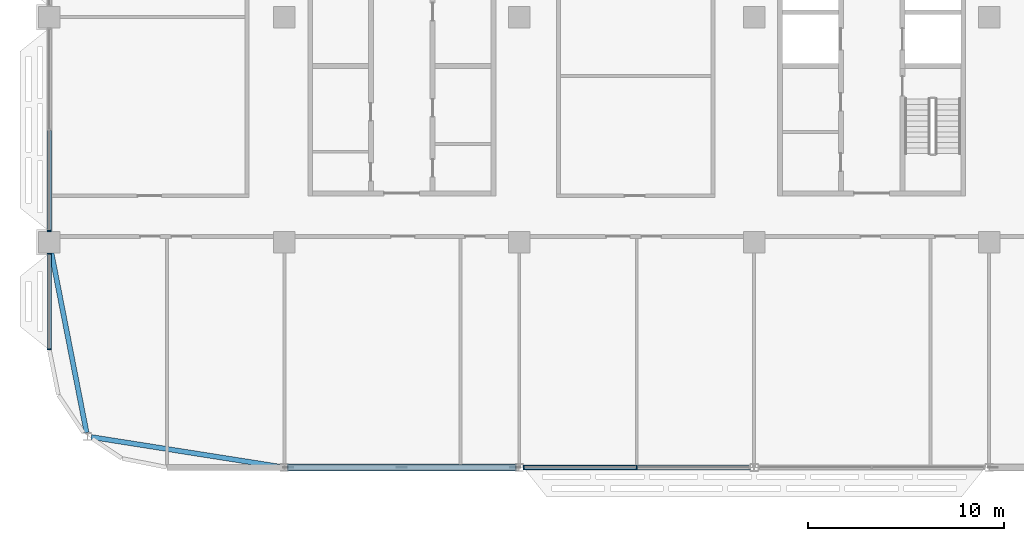
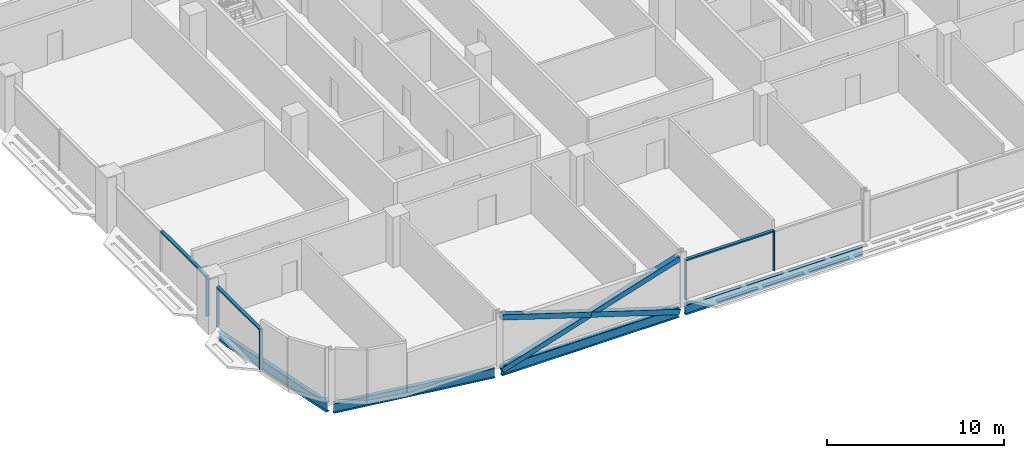
# One storey, part 4 of 30: 11 members, 4 beams, 3 elements without a shape of their own.
"""IFC4 building model written with IfcOpenShell, lengths in metres."""

import ifcopenshell
import ifcopenshell.guid

model = None  # the IFC model being written
_history = None  # IfcOwnerHistory: only IFC2X3 demands one
_inside = {}  # id of a spatial element -> (the spatial element, [elements in it])
_under = {}  # id of a project, library or spatial element -> (it, [spatial elements below it])
_declared = {}  # id of a project -> (the project, [libraries it declares])
_typed = {}  # id of a type object -> (the type object, [elements of that type])
_made_of = {}  # id of a material, layer set ... -> (it, [elements and type objects made of it])


def new_model(schema):
    """Start an empty IFC model of exactly this schema.

    Asked for "IFC4X3", IfcOpenShell would pick the latest addendum, in which some entities
    have other attributes; the version numbers below select the first issue.
    IFC2X3 requires an IfcOwnerHistory on every rooted entity: one is made here for all.
    """
    global model, _history
    if schema == "IFC4X3":
        model = ifcopenshell.file(schema_version=(4, 3, 0, 0))
    else:
        model = ifcopenshell.file(schema=schema)
    _inside.clear()
    _under.clear()
    _declared.clear()
    _typed.clear()
    _made_of.clear()
    _history = None
    if model.schema == "IFC2X3":
        org = make("IfcOrganization", Name="unknown")
        user = make(
            "IfcPersonAndOrganization",
            ThePerson=make("IfcPerson", FamilyName="unknown"),
            TheOrganization=org,
        )
        app = make(
            "IfcApplication",
            ApplicationDeveloper=org,
            Version="unknown",
            ApplicationFullName="unknown",
            ApplicationIdentifier="unknown",
        )
        _history = make(
            "IfcOwnerHistory",
            OwningUser=user,
            OwningApplication=app,
            ChangeAction="ADDED",
            CreationDate=0,
        )
    return model


def make(cls, **values):
    """One entity of the class cls with the attributes given. An attribute that is None is left unset."""
    return model.create_entity(
        cls, **{name: value for name, value in values.items() if value is not None}
    )


def rooted(cls, **values):
    """An entity with a GlobalId (a new one), such as an element, a storey or a relation."""
    return make(cls, GlobalId=ifcopenshell.guid.new(), OwnerHistory=_history, **values)


def si_unit(unit_type, name, prefix=None):
    """IfcSIUnit, for example si_unit("LENGTHUNIT", "METRE", prefix="MILLI")."""
    return make("IfcSIUnit", UnitType=unit_type, Prefix=prefix, Name=name)


def assignment(units):
    """IfcUnitAssignment: the units of a project."""
    return None if units is None else make("IfcUnitAssignment", Units=units)


def point(xyz):
    """IfcCartesianPoint."""
    return None if xyz is None else make("IfcCartesianPoint", Coordinates=xyz)


def direction(xyz):
    """IfcDirection."""
    return None if xyz is None else make("IfcDirection", DirectionRatios=xyz)


def frame(location, z_axis=None, x_axis=None):
    """IfcAxis2Placement3D, a coordinate frame: its origin and axes. An axis left out is left unset."""
    return make(
        "IfcAxis2Placement3D",
        Location=point(location),
        Axis=direction(z_axis),
        RefDirection=direction(x_axis),
    )


def frame_2d(location, x_axis=None):
    """IfcAxis2Placement2D, a coordinate frame in the plane: its origin and x axis."""
    return make(
        "IfcAxis2Placement2D", Location=point(location), RefDirection=direction(x_axis)
    )


def origin():
    """The frame at (0, 0, 0) with its axes left unset."""
    return frame((0.0, 0.0, 0.0))


def origin_2d():
    """The frame at (0, 0) in the plane with its x axis left unset."""
    return frame_2d((0.0, 0.0))


def place(relative_to, where):
    """IfcLocalPlacement: puts the frame where relative to a parent placement (None: the world)."""
    return make(
        "IfcLocalPlacement", PlacementRelTo=relative_to, RelativePlacement=where
    )


def context(
    kind, dimensions, precision=None, world=None, true_north=None, identifier=None
):
    """IfcGeometricRepresentationContext, for example the 3D "Model" context."""
    return make(
        "IfcGeometricRepresentationContext",
        ContextIdentifier=identifier,
        ContextType=kind,
        CoordinateSpaceDimension=dimensions,
        Precision=precision,
        WorldCoordinateSystem=world,
        TrueNorth=true_north,
    )


def subcontext(parent, identifier, kind, view, scale=None):
    """IfcGeometricRepresentationSubContext, for example "Body" below "Model"."""
    return make(
        "IfcGeometricRepresentationSubContext",
        ContextIdentifier=identifier,
        ContextType=kind,
        ParentContext=parent,
        TargetScale=scale,
        TargetView=view,
    )


def project(units=None, contexts=None):
    """IfcProject with its units and contexts."""
    return rooted(
        "IfcProject",
        Name="project",
        RepresentationContexts=contexts,
        UnitsInContext=assignment(units),
    )


def spatial(cls, under=None, at=None, **own):
    """A site, building, storey or space (cls), placed at a placement, below another one or the project."""
    s = rooted(cls, ObjectPlacement=at, **own)
    if under is not None:
        _under.setdefault(under.id(), (under, []))[1].append(s)
    return s


def profile(cls, at=None, kind="AREA", **sizes):
    """A parametric profile (cls). Its sizes go by their IFC names, for example OverallWidth=200.0."""
    return make(cls, ProfileType=kind, Position=at, **sizes)


def rectangle(**sizes):
    """IfcRectangleProfileDef."""
    return profile("IfcRectangleProfileDef", **sizes)


def hollow_rectangle(**sizes):
    """IfcRectangleHollowProfileDef."""
    return profile("IfcRectangleHollowProfileDef", **sizes)


def i_section(**sizes):
    """IfcIShapeProfileDef."""
    return profile("IfcIShapeProfileDef", **sizes)


def extrude(swept, where, along, depth):
    """IfcExtrudedAreaSolid: the profile swept, set in the frame where, extruded along a direction by depth."""
    return make(
        "IfcExtrudedAreaSolid",
        SweptArea=swept,
        Position=where,
        ExtrudedDirection=direction(along),
        Depth=depth,
    )


def shape(context_of_items, identifier, shape_type, items):
    """IfcShapeRepresentation: the items that make up one representation, for example the "Body"."""
    return make(
        "IfcShapeRepresentation",
        ContextOfItems=context_of_items,
        RepresentationIdentifier=identifier,
        RepresentationType=shape_type,
        Items=items,
    )


def material(Name=None, Category=None):
    """IfcMaterial."""
    return make("IfcMaterial", Name=Name, Category=Category)


def material_profile(
    of_material, cross_section, Name=None, Category=None, Priority=None
):
    """IfcMaterialProfile: a cross section and its material."""
    return make(
        "IfcMaterialProfile",
        Name=Name,
        Material=of_material,
        Profile=cross_section,
        Priority=Priority,
        Category=Category,
    )


def profile_set(profiles, Name=None, composite=None):
    """IfcMaterialProfileSet."""
    return make(
        "IfcMaterialProfileSet",
        Name=Name,
        MaterialProfiles=profiles,
        CompositeProfile=composite,
    )


def made_of(thing, what):
    """Note that an element or type object is made of a material, layer set ...; save() writes the relation."""
    if what is not None:
        _made_of.setdefault(what.id(), (what, []))[1].append(thing)
    return thing


def type_object(cls, material=None, **own):
    """A type object (cls), such as IfcWallType, which elements share."""
    return made_of(rooted(cls, **own), material)


def element(
    cls,
    number,
    at=None,
    inside=None,
    cuts=None,
    type_object=None,
    material=None,
    context=None,
    identifier="Body",
    shape_type=None,
    held_by="IfcProductDefinitionShape",
    body=None,
    shapes=None,
    **own,
):
    """One element of the class cls, such as IfcWall. Its Tag is "e" and its number.

    at: its placement. inside: the storey or other place that contains it. cuts: it is an
    opening in that element (IfcRelVoidsElement). A single representation is given by context,
    identifier, shape_type and body (its items); several are given by shapes. held_by: the class
    of the entity that holds the representations. save() writes the other relations.
    """
    e = rooted(cls, Tag="e%d" % number, ObjectPlacement=at, **own)
    if body is not None:
        shapes = [shape(context, identifier, shape_type, body)]
    if shapes is not None:
        e.Representation = make(held_by, Representations=shapes)
    if inside is not None:
        _inside.setdefault(inside.id(), (inside, []))[1].append(e)
    if cuts is not None:
        rooted(
            "IfcRelVoidsElement", RelatingBuildingElement=cuts, RelatedOpeningElement=e
        )
    if type_object is not None:
        _typed.setdefault(type_object.id(), (type_object, []))[1].append(e)
    return made_of(e, material)


def aggregate(whole, parts):
    """IfcRelAggregates: a whole, such as a stair, and the parts it consists of."""
    return rooted("IfcRelAggregates", RelatingObject=whole, RelatedObjects=parts)


def save(model, path):
    """Write the relations noted so far, then the file.

    IfcRelAggregates (storeys below a building ...), IfcRelContainedInSpatialStructure (elements
    in a storey), IfcRelDefinesByType, IfcRelAssociatesMaterial and IfcRelDeclares: one each for
    every whole, place, type object, material and project.
    """
    for whole, parts in _under.values():
        aggregate(whole, parts)
    for where, things in _inside.values():
        rooted(
            "IfcRelContainedInSpatialStructure",
            RelatedElements=things,
            RelatingStructure=where,
        )
    for kind, things in _typed.values():
        rooted("IfcRelDefinesByType", RelatedObjects=things, RelatingType=kind)
    for what, things in _made_of.values():
        rooted("IfcRelAssociatesMaterial", RelatedObjects=things, RelatingMaterial=what)
    for by, libraries in _declared.values():
        rooted("IfcRelDeclares", RelatingContext=by, RelatedDefinitions=libraries)
    model.write(path)


model = new_model("IFC4")

# Units and contexts
model_context = context("Model", 3, precision=1e-05, world=origin(), true_north=direction((0.0, 1.0)))
body_context = subcontext(model_context, "Body", "Model", "MODEL_VIEW")
ifc_project = project(units=[si_unit("LENGTHUNIT", "METRE"), si_unit("AREAUNIT", "SQUARE_METRE"), si_unit("VOLUMEUNIT", "CUBIC_METRE"), si_unit("PLANEANGLEUNIT", "RADIAN"), si_unit("MASSUNIT", "GRAM", prefix="KILO")], contexts=[model_context])

# Site, building, storey
site_placement = place(None, origin())
site = spatial("IfcSite", under=ifc_project, at=site_placement, CompositionType="ELEMENT")
building_placement = place(site_placement, origin())
building = spatial("IfcBuilding", under=site, at=building_placement, Name="Mahtab Terrace Research Tower", CompositionType="ELEMENT")
storey_placement = place(building_placement, frame((0.0, 0.0, 201.5)))
storey = spatial("IfcBuildingStorey", under=building, at=storey_placement, Name="L48", CompositionType="ELEMENT", Elevation=201.5)

# Members
ifc_material_1 = material(Name="Steel ASTM A500 Gr C", Category="steel")
ifc_material_profile_1 = material_profile(ifc_material_1, hollow_rectangle(XDim=0.355712890625, YDim=0.355712890625, WallThickness=0.015869140625, at=origin_2d()), Name="HSS14X14X5/8")
ifc_profile_set_1 = profile_set([ifc_material_profile_1], Name="Steel ASTM A500 Gr C")
member_type_1 = type_object("IfcMemberType", Name="HSS 14x14x5/8 brace XB141458", PredefinedType="BRACE", material=ifc_profile_set_1)
member_1_placement = place(storey_placement, frame((-29.79931640625, -23.0, -0.615478515625), z_axis=(0.953343380425, 0.0, 0.301888057067), x_axis=(0.0, 1.0, 0.0)))
element("IfcMember", 1, at=member_1_placement, inside=storey, type_object=member_type_1, Name="Exoskeleton brace L48 14 a", PredefinedType="BRACE", context=body_context, shape_type="SweptSolid", body=[
    extrude(hollow_rectangle(XDim=0.355712890625, YDim=0.355712890625, WallThickness=0.015869140625, at=origin_2d()), origin(), (0.0, 0.0, 1.0), 12.166259765625),
])
for number, where, z_axis, x_axis, name in (
    (2, (-18.20068359375, -23.0, -0.615478515625), (-0.953343380425, 0.0, 0.301888057067), (0.0, -1.0, 0.0), "Exoskeleton brace L48 14 b1"),
    (3, (-24.0, -23.0, 1.220947265625), (-0.953343380425, 0.0, 0.301888057067), (0.0, -1.0, 0.0), "Exoskeleton brace L48 14 b2"),
):
    element("IfcMember", number, at=place(storey_placement, frame(where, z_axis=z_axis, x_axis=x_axis)), inside=storey, type_object=member_type_1, Name=name, PredefinedType="BRACE", context=body_context, shape_type="SweptSolid", body=[
        extrude(hollow_rectangle(XDim=0.355712890625, YDim=0.355712890625, WallThickness=0.015869140625, at=origin_2d()), origin(), (0.0, 0.0, 1.0), 6.083251953125),
    ])

# Curtain wall, member
ifc_material_2 = material(Name="Laboratory ribbon curtain wall")
curtain_wall_type = type_object("IfcCurtainWallType", Name="Laboratory ribbon curtain wall", PredefinedType="NOTDEFINED", material=ifc_material_2)
curtain_wall_1_placement = place(storey_placement, origin())
curtain_wall_1 = element("IfcCurtainWall", 4, at=curtain_wall_1_placement, inside=storey, type_object=curtain_wall_type, Name="EN.L48.8.17", PredefinedType="NOTDEFINED")
ifc_material_3 = material(Name="Natural anodised aluminium", Category="aluminium")
ifc_material_profile_2 = material_profile(ifc_material_3, rectangle(XDim=0.199951171875, YDim=0.06494140625, at=origin_2d()), Name="MULLION 65x200")
ifc_profile_set_2 = profile_set([ifc_material_profile_2], Name="Natural anodised aluminium")
member_type_2 = type_object("IfcMemberType", Name="Laboratory ribbon curtain wall mullion", PredefinedType="MULLION", material=ifc_profile_set_2)
member_2_placement = place(storey_placement, frame((-42.0, -10.91748046875, 0.0), z_axis=(0.0, 0.0, 1.0), x_axis=(1.0, 0.0, 0.0)))
member_2 = element("IfcMember", 5, at=member_2_placement, type_object=member_type_2, Name="CWL-6 mullion 3", PredefinedType="MULLION", context=body_context, shape_type="SweptSolid", body=[
    extrude(rectangle(XDim=0.199951171875, YDim=0.06494140625, at=origin_2d()), origin(), (0.0, 0.0, 1.0), 2.78173828125),
])

# Curtain wall, members
curtain_wall_2_placement = place(storey_placement, origin())
curtain_wall_2 = element("IfcCurtainWall", 6, at=curtain_wall_2_placement, inside=storey, type_object=curtain_wall_type, Name="EN.L48.8.18", PredefinedType="NOTDEFINED")
member_3_placement = place(storey_placement, frame((-42.0, -12.08251953125, 0.0), z_axis=(0.0, 0.0, 1.0), x_axis=(1.0, 0.0, 0.0)))
member_3 = element("IfcMember", 7, at=member_3_placement, type_object=member_type_2, Name="CWL-6 mullion 1", PredefinedType="MULLION", context=body_context, shape_type="SweptSolid", body=[
    extrude(rectangle(XDim=0.199951171875, YDim=0.06494140625, at=origin_2d()), origin(), (0.0, 0.0, 1.0), 2.78173828125),
])
member_4_placement = place(storey_placement, frame((-42.0, -16.967529296875, 0.0), z_axis=(0.0, 0.0, 1.0), x_axis=(1.0, 0.0, 0.0)))
member_4 = element("IfcMember", 8, at=member_4_placement, type_object=member_type_2, Name="CWL-6 mullion 2", PredefinedType="MULLION", context=body_context, shape_type="SweptSolid", body=[
    extrude(rectangle(XDim=0.199951171875, YDim=0.06494140625, at=origin_2d()), origin(), (0.0, 0.0, 1.0), 2.78173828125),
])

curtain_wall_3_placement = place(storey_placement, origin())
curtain_wall_3 = element("IfcCurtainWall", 9, at=curtain_wall_3_placement, inside=storey, type_object=curtain_wall_type, Name="EN.L48.13.25", PredefinedType="NOTDEFINED")
member_5_placement = place(storey_placement, frame((-17.767578125, -23.0, 0.0), z_axis=(0.0, 0.0, 1.0), x_axis=(0.0, 1.0, 0.0)))
member_5 = element("IfcMember", 10, at=member_5_placement, type_object=member_type_2, Name="CWL-6 mullion 1", PredefinedType="MULLION", context=body_context, shape_type="SweptSolid", body=[
    extrude(rectangle(XDim=0.199951171875, YDim=0.06494140625, at=origin_2d()), origin(), (0.0, 0.0, 1.0), 2.78173828125),
])
member_6_placement = place(storey_placement, frame((-12.0, -23.0, 0.0), z_axis=(0.0, 0.0, 1.0), x_axis=(0.0, 1.0, 0.0)))
member_6 = element("IfcMember", 11, at=member_6_placement, type_object=member_type_2, Name="CWL-6 mullion 2", PredefinedType="MULLION", context=body_context, shape_type="SweptSolid", body=[
    extrude(rectangle(XDim=0.199951171875, YDim=0.06494140625, at=origin_2d()), origin(), (0.0, 0.0, 1.0), 2.78173828125),
])

# Member
ifc_material_profile_3 = material_profile(ifc_material_3, rectangle(XDim=0.199951171875, YDim=0.10009765625, at=origin_2d()), Name="TRANSOM 100x200")
ifc_profile_set_3 = profile_set([ifc_material_profile_3], Name="Natural anodised aluminium")
member_type_3 = type_object("IfcMemberType", Name="Laboratory ribbon curtain wall transom", PredefinedType="USERDEFINED", material=ifc_profile_set_3)
member_7_placement = place(storey_placement, frame((-42.0, -5.782470703125, 2.731689453125), z_axis=(0.0, -1.0, 0.0), x_axis=(1.0, 0.0, 0.0)))
member_7 = element("IfcMember", 12, at=member_7_placement, type_object=member_type_3, Name="CWL-6 transom 2", ObjectType="TRANSOM", PredefinedType="USERDEFINED", context=body_context, shape_type="SweptSolid", body=[
    extrude(rectangle(XDim=0.199951171875, YDim=0.10009765625, at=origin_2d()), origin(), (0.0, 0.0, 1.0), 5.1025390625),
])

aggregate(curtain_wall_1, [member_2, member_7])

member_8_placement = place(storey_placement, frame((-42.0, -12.114990234375, 2.731689453125), z_axis=(0.0, -1.0, 0.0), x_axis=(1.0, 0.0, 0.0)))
member_8 = element("IfcMember", 13, at=member_8_placement, type_object=member_type_3, Name="CWL-6 transom 1", ObjectType="TRANSOM", PredefinedType="USERDEFINED", context=body_context, shape_type="SweptSolid", body=[
    extrude(rectangle(XDim=0.199951171875, YDim=0.10009765625, at=origin_2d()), origin(), (0.0, 0.0, 1.0), 4.820068359375),
])

aggregate(curtain_wall_2, [member_3, member_4, member_8])

member_9_placement = place(storey_placement, frame((-17.735107421875, -23.0, 2.731689453125), z_axis=(1.0, 0.0, 0.0), x_axis=(0.0, 1.0, 0.0)))
member_9 = element("IfcMember", 14, at=member_9_placement, type_object=member_type_3, Name="CWL-6 transom 1", ObjectType="TRANSOM", PredefinedType="USERDEFINED", context=body_context, shape_type="SweptSolid", body=[
    extrude(rectangle(XDim=0.199951171875, YDim=0.10009765625, at=origin_2d()), origin(), (0.0, 0.0, 1.0), 5.70263671875),
])

aggregate(curtain_wall_3, [member_5, member_6, member_9])

# Beams
ifc_material_4 = material(Name="Steel ASTM A992 Gr 50", Category="steel")
ifc_material_profile_4 = material_profile(ifc_material_4, i_section(OverallWidth=0.25390625, OverallDepth=0.67822265625, WebThickness=0.01171875, FlangeThickness=0.016357421875, at=origin_2d()), Name="W27X84")
ifc_profile_set_4 = profile_set([ifc_material_profile_4], Name="Steel ASTM A992 Gr 50")
beam_type = type_object("IfcBeamType", Name="W27x84 beam BS2784", PredefinedType="BEAM", material=ifc_profile_set_4)
beam_1_placement = place(storey_placement, frame((-41.892578125, -12.050048828125, -0.67919921875), z_axis=(0.191811291145, -0.981431825747, 0.0), x_axis=(0.981431825747, 0.191811291145, 0.0)))
element("IfcBeam", 15, at=beam_1_placement, inside=storey, type_object=beam_type, Name="Spandrel beam L48 12", PredefinedType="BEAM", context=body_context, shape_type="SweptSolid", body=[
    extrude(i_section(OverallWidth=0.25390625, OverallDepth=0.67822265625, WebThickness=0.01171875, FlangeThickness=0.016357421875, at=origin_2d()), origin(), (0.0, 0.0, 1.0), 9.33984375),
])
beam_2_placement = place(storey_placement, frame((-39.861328125, -21.447509765625, -0.67919921875), z_axis=(0.987831689273, -0.155526697604, 0.0), x_axis=(0.155526697604, 0.987831689273, 0.0)))
element("IfcBeam", 16, at=beam_2_placement, inside=storey, type_object=beam_type, Name="Spandrel beam L48 13", PredefinedType="BEAM", context=body_context, shape_type="SweptSolid", body=[
    extrude(i_section(OverallWidth=0.25390625, OverallDepth=0.67822265625, WebThickness=0.01171875, FlangeThickness=0.016357421875, at=origin_2d()), origin(), (0.0, 0.0, 1.0), 9.779541015625),
])
for number, where, z_axis, x_axis, name in (
    (17, (-29.79931640625, -23.0, -0.67919921875), (1.0, 0.0, 0.0), (0.0, 1.0, 0.0), "Spandrel beam L48 14"),
    (18, (-17.79931640625, -23.0, -0.67919921875), (1.0, 0.0, 0.0), (0.0, 1.0, 0.0), "Spandrel beam L48 15"),
):
    element("IfcBeam", number, at=place(storey_placement, frame(where, z_axis=z_axis, x_axis=x_axis)), inside=storey, type_object=beam_type, Name=name, PredefinedType="BEAM", context=body_context, shape_type="SweptSolid", body=[
        extrude(i_section(OverallWidth=0.25390625, OverallDepth=0.67822265625, WebThickness=0.01171875, FlangeThickness=0.016357421875, at=origin_2d()), origin(), (0.0, 0.0, 1.0), 11.5986328125),
    ])

save(model, "model.ifc")
